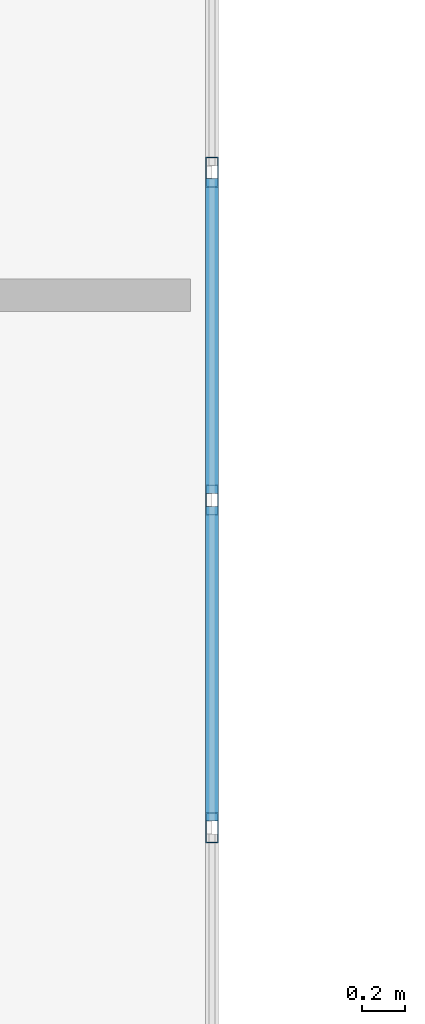
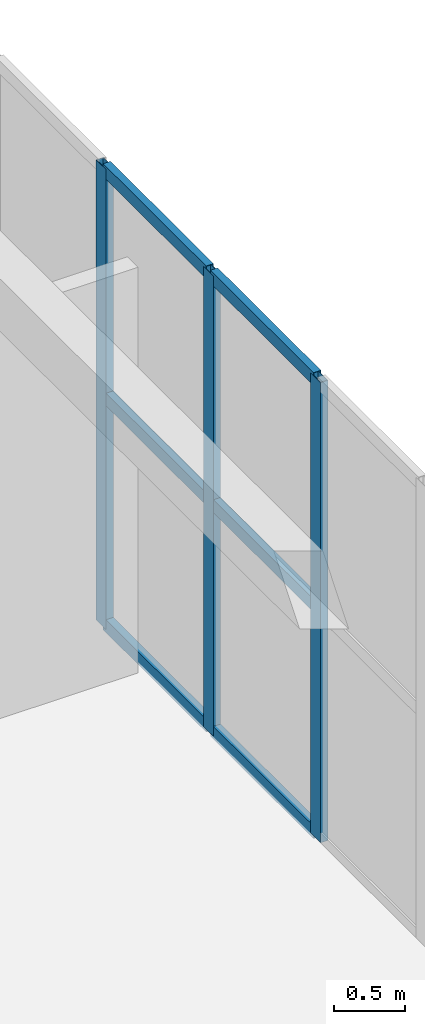
# One storey, part 31 of 81: 9 members, 1 element without a shape of its own.
"""IFC4 building model written with IfcOpenShell, lengths in metres."""

from ifc_helpers import new_model, si_unit, direction, frame, origin, origin_2d, place, context, subcontext, project, spatial, hollow_rectangle, extrude, material, layer, layer_set, material_profile, profile_set, type_object, element, aggregate, save


model = new_model("IFC4")

# Units and contexts
model_context = context("Model", 3, precision=1e-05, world=origin(), true_north=direction((0.0, 1.0)))
body_context = subcontext(model_context, "Body", "Model", "MODEL_VIEW")
ifc_project = project(units=[si_unit("LENGTHUNIT", "METRE"), si_unit("AREAUNIT", "SQUARE_METRE"), si_unit("VOLUMEUNIT", "CUBIC_METRE"), si_unit("PLANEANGLEUNIT", "RADIAN"), si_unit("MASSUNIT", "GRAM", prefix="KILO")], contexts=[model_context])

# Site, building, storey
site_placement = place(None, origin())
site = spatial("IfcSite", under=ifc_project, at=site_placement, CompositionType="ELEMENT")
building_placement = place(site_placement, origin())
building = spatial("IfcBuilding", under=site, at=building_placement, Name="Trelvath General Hospital", CompositionType="ELEMENT")
storey_placement = place(building_placement, frame((0.0, 0.0, 24.60009765625)))
storey = spatial("IfcBuildingStorey", under=building, at=storey_placement, Name="L06", CompositionType="ELEMENT", Elevation=24.60009765625)

# Curtain wall, members
ifc_material_1 = material(Name="Anodised aluminium and low-E glass", Category="aluminium")
ifc_layer = layer(ifc_material_1, 0.139892578125)
ifc_layer_set = layer_set([ifc_layer], Name="Anodised aluminium and low-E glass")
curtain_wall_type = type_object("IfcCurtainWallType", Name="CW CrystalCube 1664 396 14", PredefinedType="USERDEFINED", material=ifc_layer_set)
curtain_wall_placement = place(storey_placement, origin())
curtain_wall = element("IfcCurtainWall", 1, at=curtain_wall_placement, inside=storey, type_object=curtain_wall_type, Name="Crystal Cube Curtain Wall CUBE-E-T2 E2 L06", ObjectType="Unitised Glazed Curtain Wall", PredefinedType="USERDEFINED")
ifc_material_2 = material(Name="Anodised aluminium", Category="aluminium")
ifc_material_profile_1 = material_profile(ifc_material_2, hollow_rectangle(XDim=0.06005859375, YDim=0.139892578125, WallThickness=0.00390625, at=origin_2d()), Name="RHS60x140x4")
ifc_profile_set_1 = profile_set([ifc_material_profile_1], Name="Anodised aluminium")
member_type_1 = type_object("IfcMemberType", Name="CurtainMullion 60x140", PredefinedType="MULLION", material=ifc_profile_set_1)
member_1_placement = place(storey_placement, frame((108.39990234375, 55.01806640625, 0.0), z_axis=(0.0, 0.0, 1.0), x_axis=(1.0, 0.0, 0.0)))
member_1 = element("IfcMember", 2, at=member_1_placement, type_object=member_type_1, Name="CW-337 mullion 9", PredefinedType="MULLION", context=body_context, shape_type="SweptSolid", body=[
    extrude(hollow_rectangle(XDim=0.06005859375, YDim=0.139892578125, WallThickness=0.00390625, at=origin_2d()), origin(), (0.0, 0.0, 1.0), 3.9599609375),
])
member_2_placement = place(storey_placement, frame((108.39990234375, 53.50537109375, 0.0), z_axis=(0.0, 0.0, 1.0), x_axis=(1.0, 0.0, 0.0)))
member_2 = element("IfcMember", 3, at=member_2_placement, type_object=member_type_1, Name="CW-337 mullion 10", PredefinedType="MULLION", context=body_context, shape_type="SweptSolid", body=[
    extrude(hollow_rectangle(XDim=0.06005859375, YDim=0.139892578125, WallThickness=0.00390625, at=origin_2d()), origin(), (0.0, 0.0, 1.0), 3.9599609375),
])
member_3_placement = place(storey_placement, frame((108.39990234375, 51.99267578125, 0.0), z_axis=(0.0, 0.0, 1.0), x_axis=(1.0, 0.0, 0.0)))
member_3 = element("IfcMember", 4, at=member_3_placement, type_object=member_type_1, Name="CW-337 mullion 11", PredefinedType="MULLION", context=body_context, shape_type="SweptSolid", body=[
    extrude(hollow_rectangle(XDim=0.06005859375, YDim=0.139892578125, WallThickness=0.00390625, at=origin_2d()), origin(), (0.0, 0.0, 1.0), 3.9599609375),
])
ifc_material_3 = material(Name="Anodised aluminium", Category="aluminium")
ifc_material_profile_2 = material_profile(ifc_material_3, hollow_rectangle(XDim=0.06005859375, YDim=0.110107421875, WallThickness=0.00390625, at=origin_2d()), Name="RHS60x110x4")
ifc_profile_set_2 = profile_set([ifc_material_profile_2], Name="Anodised aluminium")
member_type_2 = type_object("IfcMemberType", Name="CurtainTransom 60x110", PredefinedType="USERDEFINED", material=ifc_profile_set_2)
member_4_placement = place(storey_placement, frame((108.39990234375, 54.98828125, 0.02978515625), z_axis=(0.0, -1.0, 0.0), x_axis=(1.0, 0.0, 0.0)))
member_4 = element("IfcMember", 5, at=member_4_placement, type_object=member_type_2, Name="CW-337 transom 9.1", ObjectType="TRANSOM", PredefinedType="USERDEFINED", context=body_context, shape_type="SweptSolid", body=[
    extrude(hollow_rectangle(XDim=0.06005859375, YDim=0.110107421875, WallThickness=0.00390625, at=origin_2d()), origin(), (0.0, 0.0, 1.0), 1.452880859375),
])
member_5_placement = place(storey_placement, frame((108.39990234375, 54.98828125, 1.97998046875), z_axis=(0.0, -1.0, 0.0), x_axis=(1.0, 0.0, 0.0)))
member_5 = element("IfcMember", 6, at=member_5_placement, type_object=member_type_2, Name="CW-337 transom 9.2", ObjectType="TRANSOM", PredefinedType="USERDEFINED", context=body_context, shape_type="SweptSolid", body=[
    extrude(hollow_rectangle(XDim=0.06005859375, YDim=0.110107421875, WallThickness=0.00390625, at=origin_2d()), origin(), (0.0, 0.0, 1.0), 1.452880859375),
])
member_6_placement = place(storey_placement, frame((108.39990234375, 54.98828125, 3.929931640625), z_axis=(0.0, -1.0, 0.0), x_axis=(1.0, 0.0, 0.0)))
member_6 = element("IfcMember", 7, at=member_6_placement, type_object=member_type_2, Name="CW-337 transom 9.3", ObjectType="TRANSOM", PredefinedType="USERDEFINED", context=body_context, shape_type="SweptSolid", body=[
    extrude(hollow_rectangle(XDim=0.06005859375, YDim=0.110107421875, WallThickness=0.00390625, at=origin_2d()), origin(), (0.0, 0.0, 1.0), 1.452880859375),
])
member_7_placement = place(storey_placement, frame((108.39990234375, 53.475341796875, 0.02978515625), z_axis=(0.0, -1.0, 0.0), x_axis=(1.0, 0.0, 0.0)))
member_7 = element("IfcMember", 8, at=member_7_placement, type_object=member_type_2, Name="CW-337 transom 10.1", ObjectType="TRANSOM", PredefinedType="USERDEFINED", context=body_context, shape_type="SweptSolid", body=[
    extrude(hollow_rectangle(XDim=0.06005859375, YDim=0.110107421875, WallThickness=0.00390625, at=origin_2d()), origin(), (0.0, 0.0, 1.0), 1.45263671875),
])
member_8_placement = place(storey_placement, frame((108.39990234375, 53.475341796875, 1.97998046875), z_axis=(0.0, -1.0, 0.0), x_axis=(1.0, 0.0, 0.0)))
member_8 = element("IfcMember", 9, at=member_8_placement, type_object=member_type_2, Name="CW-337 transom 10.2", ObjectType="TRANSOM", PredefinedType="USERDEFINED", context=body_context, shape_type="SweptSolid", body=[
    extrude(hollow_rectangle(XDim=0.06005859375, YDim=0.110107421875, WallThickness=0.00390625, at=origin_2d()), origin(), (0.0, 0.0, 1.0), 1.45263671875),
])
member_9_placement = place(storey_placement, frame((108.39990234375, 53.475341796875, 3.929931640625), z_axis=(0.0, -1.0, 0.0), x_axis=(1.0, 0.0, 0.0)))
member_9 = element("IfcMember", 10, at=member_9_placement, type_object=member_type_2, Name="CW-337 transom 10.3", ObjectType="TRANSOM", PredefinedType="USERDEFINED", context=body_context, shape_type="SweptSolid", body=[
    extrude(hollow_rectangle(XDim=0.06005859375, YDim=0.110107421875, WallThickness=0.00390625, at=origin_2d()), origin(), (0.0, 0.0, 1.0), 1.45263671875),
])
aggregate(curtain_wall, [member_1, member_2, member_3, member_4, member_5, member_6, member_7, member_8, member_9])

save(model, "model.ifc")
